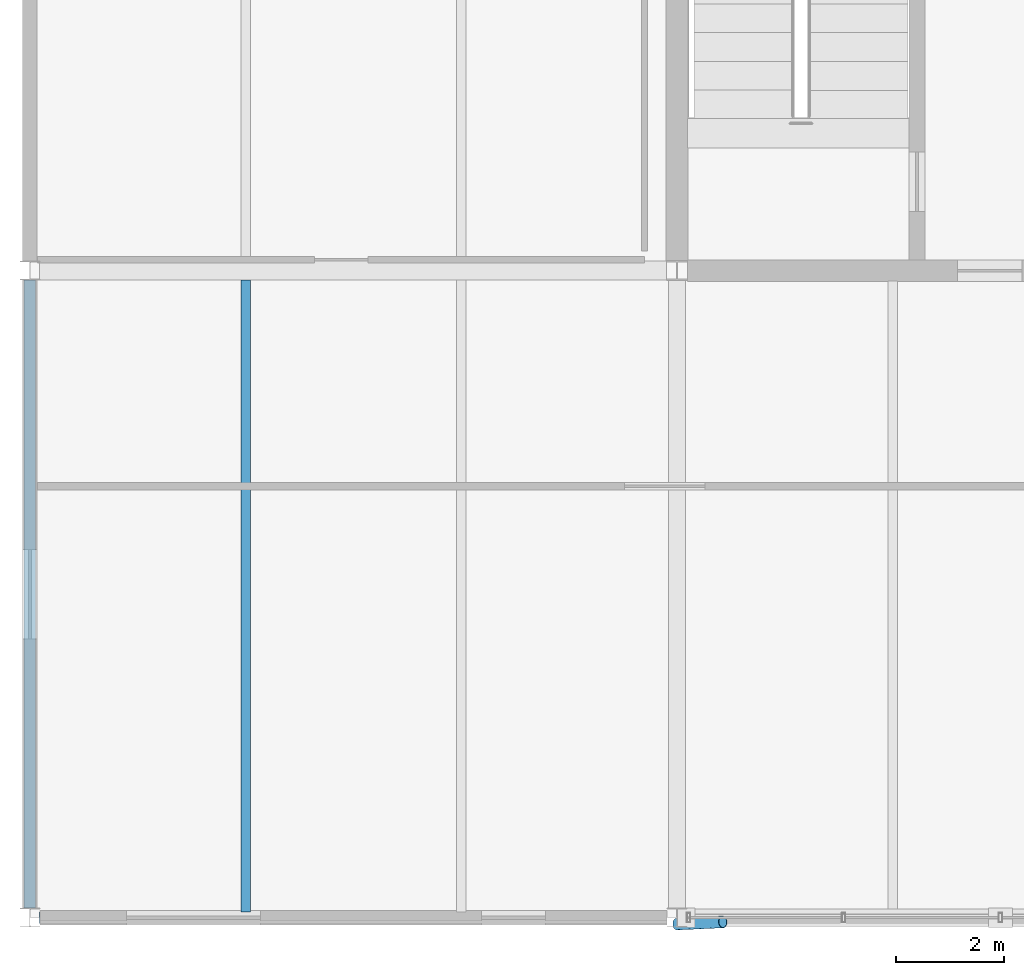
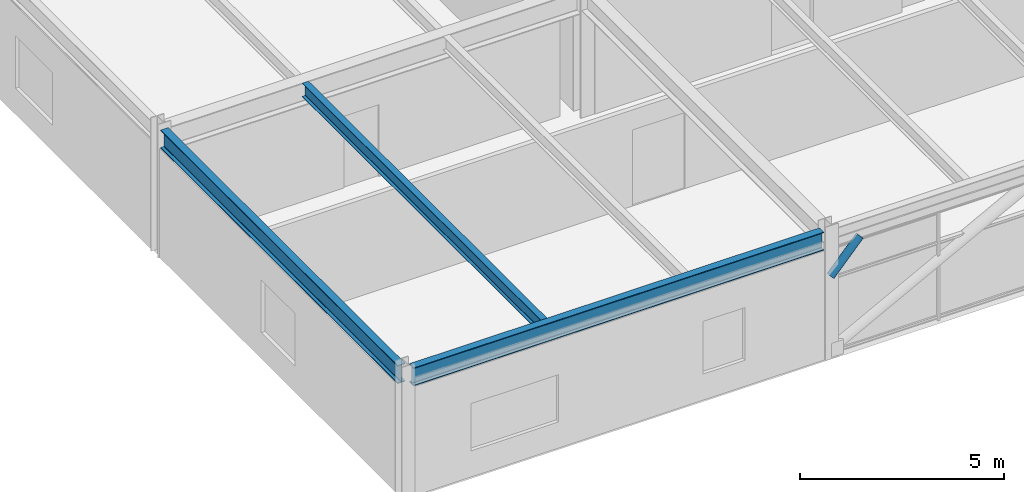
# One storey, part 4 of 40: 3 beams, 1 member.
"""IFC4 building model written with IfcOpenShell, lengths in metres."""

from ifc_helpers import new_model, si_unit, direction, frame, origin, origin_2d, place, context, subcontext, project, spatial, hollow_circle, i_section, extrude, material, material_profile, profile_set, type_object, element, save


model = new_model("IFC4")

# Units and contexts
model_context = context("Model", 3, precision=1e-05, world=origin(), true_north=direction((0.0, 1.0)))
body_context = subcontext(model_context, "Body", "Model", "MODEL_VIEW")
ifc_project = project(units=[si_unit("LENGTHUNIT", "METRE"), si_unit("AREAUNIT", "SQUARE_METRE"), si_unit("VOLUMEUNIT", "CUBIC_METRE"), si_unit("PLANEANGLEUNIT", "RADIAN"), si_unit("MASSUNIT", "GRAM", prefix="KILO")], contexts=[model_context])

# Site, building, storey
site_placement = place(None, origin())
site = spatial("IfcSite", under=ifc_project, at=site_placement, CompositionType="ELEMENT")
building_placement = place(site_placement, origin())
building = spatial("IfcBuilding", under=site, at=building_placement, Name="Girod Span Mobility Hub", CompositionType="ELEMENT")
storey_placement = place(building_placement, frame((0.0, 0.0, 53.60009765625)))
storey = spatial("IfcBuildingStorey", under=building, at=storey_placement, Name="L13", CompositionType="ELEMENT", Elevation=53.60009765625)

# Beams
ifc_material_1 = material(Name="Steel A992 Grade 50", Category="steel")
ifc_material_profile_1 = material_profile(ifc_material_1, i_section(OverallWidth=0.178955078125, OverallDepth=0.409912109375, WebThickness=0.0087890625, FlangeThickness=0.014404296875, FilletRadius=0.012939453125, at=origin_2d()), Name="W16X45")
ifc_profile_set_1 = profile_set([ifc_material_profile_1], Name="Steel A992 Grade 50")
beam_type_1 = type_object("IfcBeamType", Name="BM-STL-W16X45", PredefinedType="BEAM", material=ifc_profile_set_1)
beam_1_placement = place(storey_placement, frame((40.0, 45.10302734375, 3.60986328125), z_axis=(0.0, 1.0, 0.0), x_axis=(-1.0, 0.0, 0.0)))
element("IfcBeam", 1, at=beam_1_placement, inside=storey, type_object=beam_type_1, Name="Composite Floorbeam 4/D-1 L13", PredefinedType="BEAM", context=body_context, shape_type="SweptSolid", body=[
    extrude(i_section(OverallWidth=0.178955078125, OverallDepth=0.409912109375, WebThickness=0.0087890625, FlangeThickness=0.014404296875, FilletRadius=0.012939453125, at=origin_2d()), origin(), (0.0, 0.0, 1.0), 11.722412109375),
])
ifc_material_2 = material(Name="Steel A992 Grade 50", Category="steel")
ifc_material_profile_2 = material_profile(ifc_material_2, i_section(OverallWidth=0.2119140625, OverallDepth=0.5439453125, WebThickness=0.01318359375, FlangeThickness=0.021240234375, FilletRadius=0.014892578125, at=origin_2d()), Name="W21X83")
ifc_profile_set_2 = profile_set([ifc_material_profile_2], Name="Steel A992 Grade 50")
beam_type_2 = type_object("IfcBeamType", Name="BM-STL-W21X83", PredefinedType="SPANDREL", material=ifc_profile_set_2)
beam_2_placement = place(storey_placement, frame((36.181396484375, 45.0, 3.54296875), z_axis=(1.0, 0.0, 0.0), x_axis=(0.0, 1.0, 0.0)))
element("IfcBeam", 2, at=beam_2_placement, inside=storey, type_object=beam_type_2, Name="Girder 4-5/D L13", PredefinedType="SPANDREL", context=body_context, shape_type="SweptSolid", body=[
    extrude(i_section(OverallWidth=0.2119140625, OverallDepth=0.5439453125, WebThickness=0.01318359375, FlangeThickness=0.021240234375, FilletRadius=0.014892578125, at=origin_2d()), origin(), (0.0, 0.0, 1.0), 11.63720703125),
])
beam_3_placement = place(storey_placement, frame((36.0, 45.175048828125, 3.54296875), z_axis=(0.0, 1.0, 0.0), x_axis=(-1.0, 0.0, 0.0)))
element("IfcBeam", 3, at=beam_3_placement, inside=storey, type_object=beam_type_2, Name="Tie Girder 4/D-E L13", PredefinedType="SPANDREL", context=body_context, shape_type="SweptSolid", body=[
    extrude(i_section(OverallWidth=0.2119140625, OverallDepth=0.5439453125, WebThickness=0.01318359375, FlangeThickness=0.021240234375, FilletRadius=0.014892578125, at=origin_2d()), origin(), (0.0, 0.0, 1.0), 11.64990234375),
])

# Member
ifc_material_3 = material(Name="Steel HSS A500 Grade C", Category="steel")
ifc_material_profile_3 = material_profile(ifc_material_3, hollow_circle(Radius=0.109619140625, WallThickness=0.0087890625, at=origin_2d()), Name="HSS219X9.5")
ifc_profile_set_3 = profile_set([ifc_material_profile_3], Name="Steel HSS A500 Grade C")
member_type = type_object("IfcMemberType", Name="MB-ST-HSS219", PredefinedType="STRUT", material=ifc_profile_set_3)
member_placement = place(storey_placement, frame((48.0, 44.8798828125, 2.449951171875), z_axis=(0.692370429022, 0.032610209753, 0.720804941184), x_axis=(-0.047047213483, 0.998892666758, 0.0)))
element("IfcMember", 4, at=member_placement, inside=storey, type_object=member_type, Name="Solar Shading Knee Strut 5 L13", PredefinedType="STRUT", context=body_context, shape_type="SweptSolid", body=[
    extrude(hollow_circle(Radius=0.109619140625, WallThickness=0.0087890625, at=origin_2d()), origin(), (0.0, 0.0, 1.0), 1.227783203125),
])

save(model, "model.ifc")
